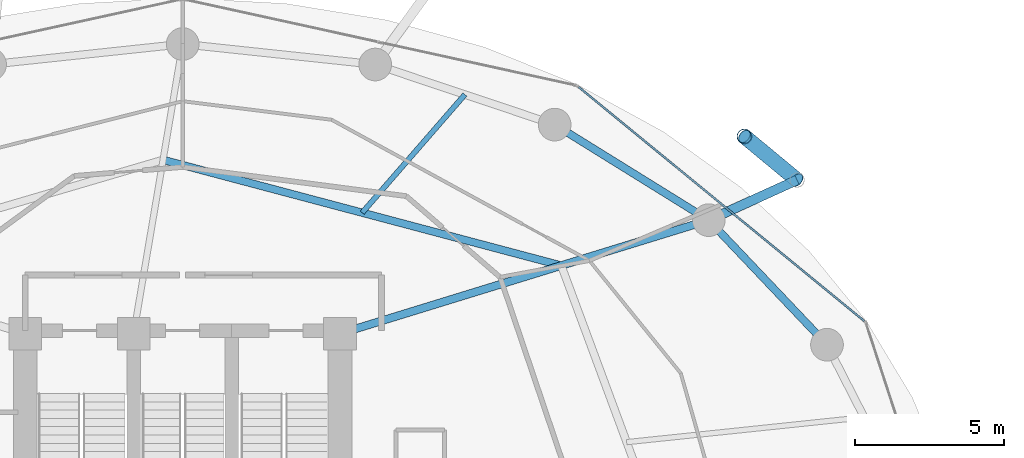
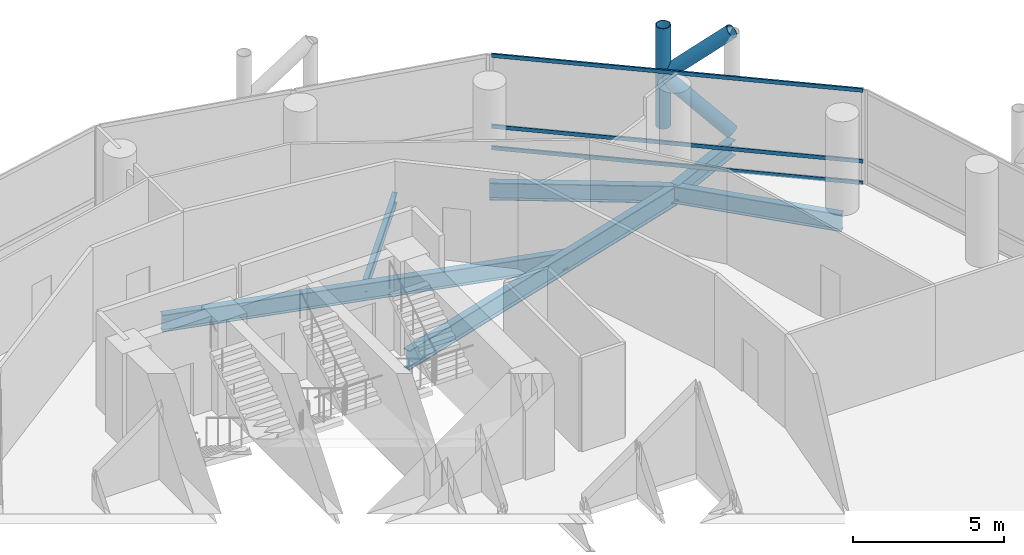
# One storey, part 17 of 25: 6 beams, 6 members, 1 element without a shape of its own.
"""IFC4 building model written with IfcOpenShell, lengths in metres."""

from ifc_helpers import new_model, si_unit, direction, frame, origin, origin_2d, place, context, subcontext, project, spatial, hollow_rectangle, hollow_circle, i_section, extrude, material, layer, layer_set, material_profile, profile_set, type_object, element, aggregate, save


model = new_model("IFC4")

# Units and contexts
model_context = context("Model", 3, precision=1e-05, world=origin(), true_north=direction((0.0, 1.0)))
body_context = subcontext(model_context, "Body", "Model", "MODEL_VIEW")
ifc_project = project(units=[si_unit("LENGTHUNIT", "METRE"), si_unit("AREAUNIT", "SQUARE_METRE"), si_unit("VOLUMEUNIT", "CUBIC_METRE"), si_unit("PLANEANGLEUNIT", "RADIAN"), si_unit("MASSUNIT", "GRAM", prefix="KILO")], contexts=[model_context])

# Site, building, storey
site_placement = place(None, origin())
site = spatial("IfcSite", under=ifc_project, at=site_placement, CompositionType="ELEMENT")
building_placement = place(site_placement, origin())
building = spatial("IfcBuilding", under=site, at=building_placement, Name="Nuhasar Tower", CompositionType="ELEMENT")
storey_placement = place(building_placement, frame((0.0, 0.0, 49.35009765625)))
storey = spatial("IfcBuildingStorey", under=building, at=storey_placement, Name="L11", CompositionType="ELEMENT", Elevation=49.35009765625)

# Beams
ifc_material_1 = material(Name="Steel S355", Category="steel")
ifc_material_profile_1 = material_profile(ifc_material_1, i_section(OverallWidth=0.25390625, OverallDepth=0.68408203125, WebThickness=0.012451171875, FlangeThickness=0.018798828125, at=origin_2d()), Name="W27X94")
ifc_profile_set_1 = profile_set([ifc_material_profile_1], Name="Steel S355")
beam_type_1 = type_object("IfcBeamType", Name="BM-INRING-W27X94", PredefinedType="BEAM", material=ifc_profile_set_1)
beam_1_placement = place(storey_placement, frame((51.748046875, 39.591064453125, -0.60205078125), z_axis=(-0.96653253005, 0.256544086574, 0.0), x_axis=(-0.256544086574, -0.96653253005, 0.0)))
element("IfcBeam", 1, at=beam_1_placement, inside=storey, type_object=beam_type_1, Name="L11 Inner Header Beam 05", PredefinedType="BEAM", context=body_context, shape_type="SweptSolid", body=[
    extrude(i_section(OverallWidth=0.25390625, OverallDepth=0.68408203125, WebThickness=0.012451171875, FlangeThickness=0.018798828125, at=origin_2d()), origin(), (0.0, 0.0, 1.0), 13.872314453125),
])
ifc_material_profile_2 = material_profile(ifc_material_1, i_section(OverallWidth=0.177978515625, OverallDepth=0.406005859375, WebThickness=0.0078125, FlangeThickness=0.0126953125, at=origin_2d()), Name="W16X40")
ifc_profile_set_2 = profile_set([ifc_material_profile_2], Name="Steel S355")
beam_type_2 = type_object("IfcBeamType", Name="BM-JST-W16X40", PredefinedType="JOIST", material=ifc_profile_set_2)
beam_2_placement = place(storey_placement, frame((45.0439453125, 41.3701171875, -0.463134765625), z_axis=(0.656174129694, 0.754609509296, 0.0), x_axis=(-0.754609509296, 0.656174129694, 0.0)))
element("IfcBeam", 2, at=beam_2_placement, inside=storey, type_object=beam_type_2, Name="L11 Secondary Floor Joist 05", PredefinedType="JOIST", context=body_context, shape_type="SweptSolid", body=[
    extrude(i_section(OverallWidth=0.177978515625, OverallDepth=0.406005859375, WebThickness=0.0078125, FlangeThickness=0.0126953125, at=origin_2d()), origin(), (0.0, 0.0, 1.0), 5.27294921875),
])
ifc_material_profile_3 = material_profile(ifc_material_1, i_section(OverallWidth=0.26611328125, OverallDepth=0.779052734375, WebThickness=0.0166015625, FlangeThickness=0.030029296875, at=origin_2d()), Name="W30X148")
ifc_profile_set_3 = profile_set([ifc_material_profile_3], Name="Steel S355")
beam_type_3 = type_object("IfcBeamType", Name="BM-RAD-W30X148", PredefinedType="BEAM", material=ifc_profile_set_3)
beam_3_placement = place(storey_placement, frame((44.300048828125, 37.300048828125, -0.649169921875), z_axis=(0.955789576103, 0.294051502653, 0.0), x_axis=(-0.294051502653, 0.955789576103, 0.0)))
element("IfcBeam", 3, at=beam_3_placement, inside=storey, type_object=beam_type_3, Name="L11 Radial Floor Girder 05", PredefinedType="BEAM", context=body_context, shape_type="SweptSolid", body=[
    extrude(i_section(OverallWidth=0.26611328125, OverallDepth=0.779052734375, WebThickness=0.0166015625, FlangeThickness=0.030029296875, at=origin_2d()), origin(), (0.0, 0.0, 1.0), 12.987060546875),
])
ifc_material_profile_4 = material_profile(ifc_material_1, i_section(OverallWidth=0.256103515625, OverallDepth=0.693115234375, WebThickness=0.014404296875, FlangeThickness=0.023681640625, at=origin_2d()), Name="W27X114")
ifc_profile_set_4 = profile_set([ifc_material_profile_4], Name="Steel S355")
beam_type_4 = type_object("IfcBeamType", Name="BM-RING-W27X114", PredefinedType="SPANDREL", material=ifc_profile_set_4)
beam_4_placement = place(storey_placement, frame((60.694091796875, 36.925048828125, -0.606201171875), z_axis=(-0.688480893507, 0.725254478976, 0.0), x_axis=(-0.725254478976, -0.688480893507, 0.0)))
element("IfcBeam", 4, at=beam_4_placement, inside=storey, type_object=beam_type_4, Name="L11 Perimeter Ring Spandrel 03", PredefinedType="SPANDREL", context=body_context, shape_type="SweptSolid", body=[
    extrude(i_section(OverallWidth=0.256103515625, OverallDepth=0.693115234375, WebThickness=0.014404296875, FlangeThickness=0.023681640625, at=origin_2d()), origin(), (0.0, 0.0, 1.0), 5.782470703125),
])
beam_5_placement = place(storey_placement, frame((56.712890625, 41.118896484375, -0.606201171875), z_axis=(-0.849795216549, 0.527112976439, 0.0), x_axis=(-0.527112976439, -0.849795216549, 0.0)))
element("IfcBeam", 5, at=beam_5_placement, inside=storey, type_object=beam_type_4, Name="L11 Perimeter Ring Spandrel 04", PredefinedType="SPANDREL", context=body_context, shape_type="SweptSolid", body=[
    extrude(i_section(OverallWidth=0.256103515625, OverallDepth=0.693115234375, WebThickness=0.014404296875, FlangeThickness=0.023681640625, at=origin_2d()), origin(), (0.0, 0.0, 1.0), 6.10498046875),
])
ifc_material_profile_5 = material_profile(ifc_material_1, i_section(OverallWidth=0.323974609375, OverallDepth=0.611083984375, WebThickness=0.0126953125, FlangeThickness=0.01904296875, at=origin_2d()), Name="W24X104")
ifc_profile_set_5 = profile_set([ifc_material_profile_5], Name="Steel S355")
beam_type_5 = type_object("IfcBeamType", Name="BM-TIE-W24X104", PredefinedType="BEAM", material=ifc_profile_set_5)
beam_6_placement = place(storey_placement, frame((56.712890625, 41.118896484375, -0.565185546875), z_axis=(0.910243528587, 0.414073325227, 0.0), x_axis=(-0.414073325227, 0.910243528587, 0.0)))
element("IfcBeam", 6, at=beam_6_placement, inside=storey, type_object=beam_type_5, Name="L11 Exoskeleton Node Tie Beam 02", PredefinedType="BEAM", context=body_context, shape_type="SweptSolid", body=[
    extrude(i_section(OverallWidth=0.323974609375, OverallDepth=0.611083984375, WebThickness=0.0126953125, FlangeThickness=0.01904296875, at=origin_2d()), origin(), (0.0, 0.0, 1.0), 3.26513671875),
])

# Curtain wall, members
ifc_material_2 = material(Name="Aluminium 6063-T6", Category="aluminium")
ifc_layer = layer(ifc_material_2, 0.199951171875)
ifc_layer_set = layer_set([ifc_layer], Name="Aluminium 6063-T6")
curtain_wall_type = type_object("IfcCurtainWallType", Name="CW-Z1-OFF", PredefinedType="NOTDEFINED", material=ifc_layer_set)
curtain_wall_placement = place(storey_placement, origin())
curtain_wall = element("IfcCurtainWall", 7, at=curtain_wall_placement, inside=storey, type_object=curtain_wall_type, Name="L11 Unitised Curtain Wall 02", PredefinedType="NOTDEFINED")
ifc_material_profile_6 = material_profile(ifc_material_2, hollow_rectangle(XDim=0.06494140625, YDim=0.14990234375, WallThickness=0.00439453125, at=origin_2d()), Name="CWT-2")
ifc_profile_set_6 = profile_set([ifc_material_profile_6], Name="Aluminium 6063-T6")
member_type_1 = type_object("IfcMemberType", Name="CW-TRN-S2", PredefinedType="USERDEFINED", material=ifc_profile_set_6)
member_1_placement = place(storey_placement, frame((61.95166015625, 37.72119140625, 0.032470703125), z_axis=(-0.773540851599, 0.633746440548, 0.0), x_axis=(-0.633746440548, -0.773540851599, 0.0)))
member_1 = element("IfcMember", 8, at=member_1_placement, type_object=member_type_1, Name="CW-Z1 transom 1.1", ObjectType="TRANSOM", PredefinedType="USERDEFINED", context=body_context, shape_type="SweptSolid", body=[
    extrude(hollow_rectangle(XDim=0.06494140625, YDim=0.14990234375, WallThickness=0.00439453125, at=origin_2d()), origin(), (0.0, 0.0, 1.0), 12.43798828125),
])
member_2_placement = place(storey_placement, frame((61.95166015625, 37.72119140625, 0.89990234375), z_axis=(-0.773540851599, 0.633746440548, 0.0), x_axis=(-0.633746440548, -0.773540851599, 0.0)))
member_2 = element("IfcMember", 9, at=member_2_placement, type_object=member_type_1, Name="CW-Z1 transom 1.2", ObjectType="TRANSOM", PredefinedType="USERDEFINED", context=body_context, shape_type="SweptSolid", body=[
    extrude(hollow_rectangle(XDim=0.06494140625, YDim=0.14990234375, WallThickness=0.00439453125, at=origin_2d()), origin(), (0.0, 0.0, 1.0), 12.43798828125),
])
member_3_placement = place(storey_placement, frame((61.95166015625, 37.72119140625, 3.75732421875), z_axis=(-0.773540851599, 0.633746440548, 0.0), x_axis=(-0.633746440548, -0.773540851599, 0.0)))
member_3 = element("IfcMember", 10, at=member_3_placement, type_object=member_type_1, Name="CW-Z1 transom 1.3", ObjectType="TRANSOM", PredefinedType="USERDEFINED", context=body_context, shape_type="SweptSolid", body=[
    extrude(hollow_rectangle(XDim=0.06494140625, YDim=0.14990234375, WallThickness=0.00439453125, at=origin_2d()), origin(), (0.0, 0.0, 1.0), 12.43798828125),
])
aggregate(curtain_wall, [member_1, member_2, member_3])

# Members
ifc_material_3 = material(Name="Steel S460", Category="steel")
ifc_material_profile_7 = material_profile(ifc_material_3, hollow_circle(Radius=0.25390625, WallThickness=0.025390625, at=origin_2d()), Name="HSS508X25.4")
ifc_profile_set_7 = profile_set([ifc_material_profile_7], Name="Steel S460")
member_type_2 = type_object("IfcMemberType", Name="EXO-BRONZE-508", PredefinedType="BRACE", material=ifc_profile_set_7)
member_4_placement = place(storey_placement, frame((57.9130859375, 43.93896484375, 0.0), z_axis=(0.0, 0.0, 1.0), x_axis=(1.0, 0.0, 0.0)))
element("IfcMember", 11, at=member_4_placement, inside=storey, type_object=member_type_2, Name="L11 Exoskeleton Chord Column EC-02B", PredefinedType="BRACE", context=body_context, shape_type="SweptSolid", body=[
    extrude(hollow_circle(Radius=0.25390625, WallThickness=0.025390625, at=origin_2d()), origin(), (0.0, 0.0, 1.0), 4.0498046875),
])
for number, where, z_axis, x_axis, name in (
    (12, (59.68505859375, 42.470947265625, 0.0), (-0.578101613167, 0.478937034992, 0.660619286251), (-0.637969333506, -0.770061769929, 0.0), "L11 Bronze Diagrid Brace W1-02"),
    (13, (57.9130859375, 43.93896484375, 2.02490234375), (0.578101613167, -0.478937034992, 0.660619286251), (0.637969333506, 0.770061769929, 0.0), "L11 Bronze Diagrid Brace W2-02"),
):
    element("IfcMember", number, at=place(storey_placement, frame(where, z_axis=z_axis, x_axis=x_axis)), inside=storey, type_object=member_type_2, Name=name, PredefinedType="BRACE", context=body_context, shape_type="SweptSolid", body=[
        extrude(hollow_circle(Radius=0.25390625, WallThickness=0.025390625, at=origin_2d()), origin(), (0.0, 0.0, 1.0), 3.065185546875),
    ])

save(model, "model.ifc")
